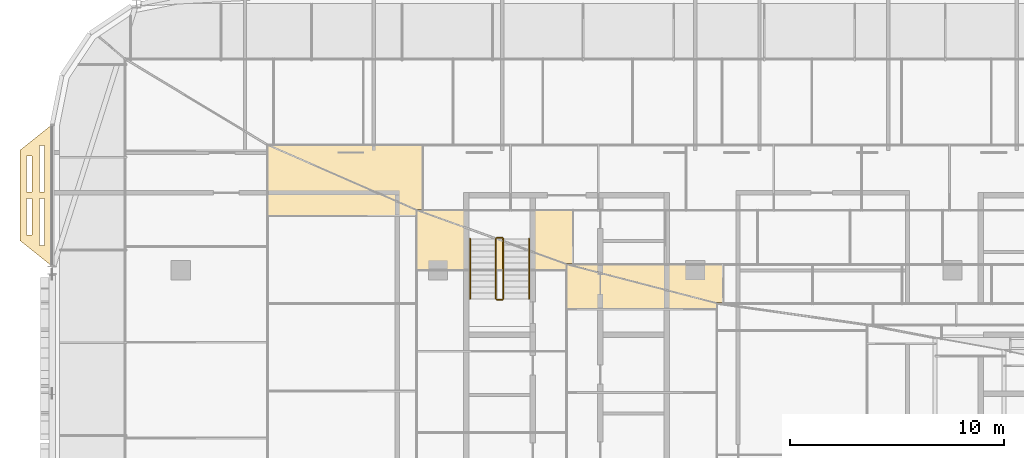
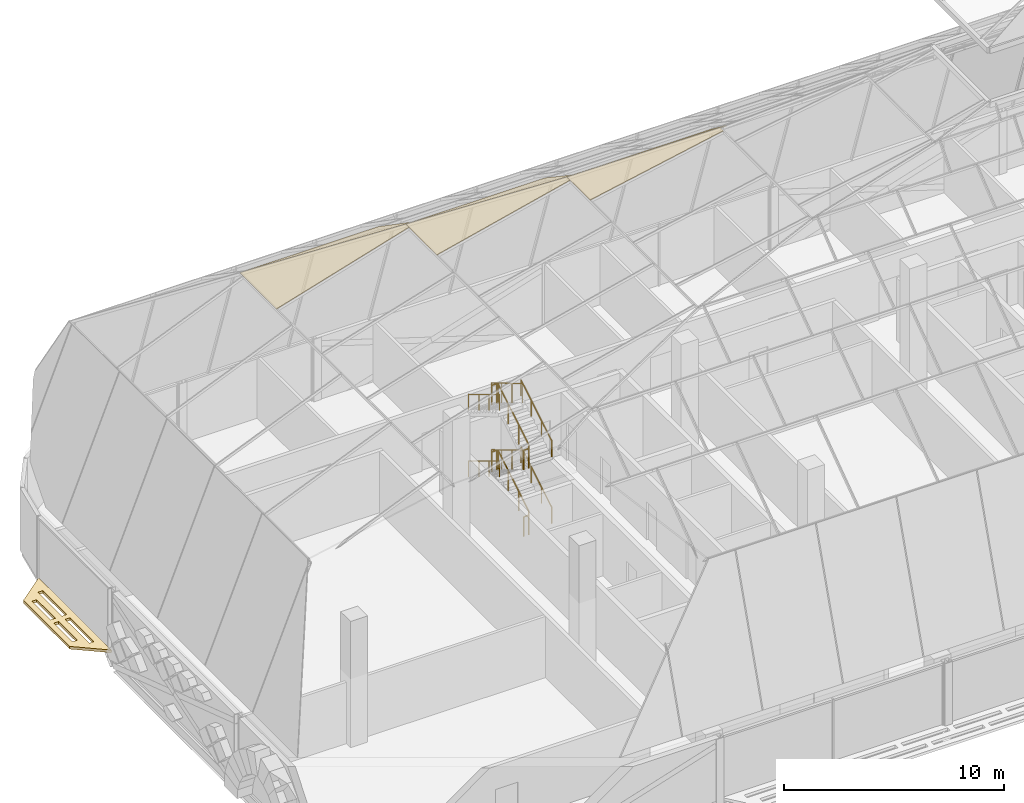
# One storey, part 35 of 39: 12 railings, 7 coverings.
"""IFC4 building model written with IfcOpenShell, lengths in metres."""

from ifc_helpers import new_model, si_unit, direction, frame, origin, origin_2d, place, context, subcontext, project, spatial, polyline, circle, outline, extrude, material, layer, layer_set, type_object, element, save


model = new_model("IFC4")

# Units and contexts
model_context = context("Model", 3, precision=1e-05, world=origin(), true_north=direction((0.0, 1.0)))
body_context = subcontext(model_context, "Body", "Model", "MODEL_VIEW")
ifc_project = project(units=[si_unit("LENGTHUNIT", "METRE"), si_unit("AREAUNIT", "SQUARE_METRE"), si_unit("VOLUMEUNIT", "CUBIC_METRE"), si_unit("PLANEANGLEUNIT", "RADIAN"), si_unit("MASSUNIT", "GRAM", prefix="KILO")], contexts=[model_context])

# Site, building, storey
site_placement = place(None, origin())
site = spatial("IfcSite", under=ifc_project, at=site_placement, CompositionType="ELEMENT")
building_placement = place(site_placement, origin())
building = spatial("IfcBuilding", under=site, at=building_placement, Name="Mahtab Terrace Research Tower", CompositionType="ELEMENT")
storey_placement = place(building_placement, frame((0.0, 0.0, 282.300048828125)))
storey = spatial("IfcBuildingStorey", under=building, at=storey_placement, Name="L69", CompositionType="ELEMENT", Elevation=282.300048828125)

# Coverings
ifc_material_1 = material(Name="Turquoise ceramic tile cladding", Category="ceramic")
ifc_layer_1 = layer(ifc_material_1, 0.0400390625)
ifc_layer_set_1 = layer_set([ifc_layer_1], Name="Crown hip cladding panel")
covering_type_1 = type_object("IfcCoveringType", Name="Crown hip cladding panel", PredefinedType="CLADDING", material=ifc_layer_set_1)
covering_1_placement = place(storey_placement, frame((-30.72021484375, 17.38427734375, 14.0), z_axis=(0.0, 0.568271672789, 0.822840996734), x_axis=(0.0, -0.822840996734, 0.568271672789)))
element("IfcCovering", 1, at=covering_1_placement, inside=storey, type_object=covering_type_1, Name="CWC-N3 hip cladding 1", PredefinedType="CLADDING", context=body_context, shape_type="SweptSolid", body=[
    extrude(outline(polyline([(0.0, 0.0), (3.695157820063184, 0.0), (3.695157820063184, -0.300048828125), (0.0, -7.2568359375), (0.0, 0.0)])), origin(), (0.0, 0.0, -1.0), 0.0400390625),
])
covering_2_placement = place(storey_placement, frame((-23.715576171875, 14.34375, 16.099853515625), z_axis=(0.0, 0.557653368121, 0.830073925035), x_axis=(0.0, -0.830073925035, 0.557653368121)))
element("IfcCovering", 2, at=covering_2_placement, inside=storey, type_object=covering_type_1, Name="CWC-N4 hip cladding 1", PredefinedType="CLADDING", context=body_context, shape_type="SweptSolid", body=[
    extrude(outline(polyline([(0.0, 0.0), (3.048838955690744, 0.0), (3.048838955690744, -0.300048828125), (0.0, -7.3046875), (0.0, 0.0)])), origin(), (0.0, 0.0, -1.0), 0.0400390625),
])
covering_3_placement = place(storey_placement, frame((-16.7109375, 11.81298828125, 17.800048828125), z_axis=(0.0, 0.609515532495, 0.7927741265), x_axis=(0.0, -0.7927741265, 0.609515532495)))
element("IfcCovering", 3, at=covering_3_placement, inside=storey, type_object=covering_type_1, Name="CWC-N5 hip cladding 1", PredefinedType="CLADDING", context=body_context, shape_type="SweptSolid", body=[
    extrude(outline(polyline([(0.0, 0.0), (2.2967459713771903, 0.0), (2.2967459713771903, -0.300048828125), (0.0, -7.3046875), (0.0, 0.0)])), origin(), (0.0, 0.0, -1.0), 0.0400390625),
])
covering_4_placement = place(storey_placement, frame((-37.97705078125, 17.38427734375, 14.0), z_axis=(-0.288965667694, 0.0, 0.957339460638), x_axis=(0.883149133651, -0.385988394823, 0.266571879225)))
element("IfcCovering", 4, at=covering_4_placement, inside=storey, type_object=covering_type_1, Name="CWC-W3 hip cladding 6", PredefinedType="CLADDING", context=body_context, shape_type="SweptSolid", body=[
    extrude(outline(polyline([(0.0, 0.0), (7.87725067522548, 1.942890293094024e-16), (7.993066040762021, -0.27679613502508116), (1.289423634366555, -3.0816936660278187), (0.0, 0.0)])), origin(), (0.0, 0.0, -1.0), 0.0400390625),
])
covering_5_placement = place(storey_placement, frame((-31.020263671875, 14.34375, 16.099853515625), z_axis=(-0.235875329175, 0.0, 0.971783324145), x_axis=(0.916909927481, -0.331277693642, 0.22255622791)))
element("IfcCovering", 5, at=covering_5_placement, inside=storey, type_object=covering_type_1, Name="CWC-W4 hip cladding 5", PredefinedType="CLADDING", context=body_context, shape_type="SweptSolid", body=[
    extrude(outline(polyline([(0.0, 0.0), (7.63939669746664, -2.7755575615628914e-17), (7.738796181227754, -0.2831060611982896), (0.9377843891050649, -2.6709640191978585), (0.0, 0.0)])), origin(), (0.0, 0.0, -1.0), 0.0400390625),
])
covering_6_placement = place(storey_placement, frame((-24.015625, 11.81298828125, 17.800048828125), z_axis=(-0.195978105633, 0.0, 0.980608271489), x_axis=(0.950223792737, -0.247003208192, 0.189905657787)))
element("IfcCovering", 6, at=covering_6_placement, inside=storey, type_object=covering_type_1, Name="CWC-W5 hip cladding 4", PredefinedType="CLADDING", context=body_context, shape_type="SweptSolid", body=[
    extrude(outline(polyline([(0.0, 0.0), (7.371567335415455, -4.163336342344337e-16), (7.445680358576541, -0.29075171376470044), (0.5238566576080959, -2.055134367350652), (0.0, 0.0)])), origin(), (0.0, 0.0, -1.0), 0.0400390625),
])
ifc_material_2 = material(Name="Black anodised aluminium", Category="aluminium")
ifc_layer_2 = layer(ifc_material_2, 0.14990234375)
ifc_layer_set_2 = layer_set([ifc_layer_2], Name="Horizontal sunshade band")
covering_type_2 = type_object("IfcCoveringType", Name="Horizontal sunshade band", PredefinedType="CLADDING", material=ifc_layer_set_2)
covering_7_placement = place(storey_placement, frame((0.0, 0.0, -0.150146484375)))
element("IfcCovering", 7, at=covering_7_placement, inside=storey, type_object=covering_type_2, Name="Sunshade band L69 15", PredefinedType="CLADDING", context=body_context, shape_type="SweptSolid", body=[
    extrude(outline(polyline([(-48.0, 18.306884765625), (-48.0, 11.68798828125), (-49.5, 12.887939453125), (-49.5, 17.10693359375), (-48.0, 18.306884765625)]), holes=[polyline([(-48.35009765625, 17.326904296875), (-48.35009765625, 15.14794921875), (-48.60009765625, 15.14794921875), (-48.60009765625, 17.326904296875), (-48.35009765625, 17.326904296875)]), polyline([(-48.35009765625, 14.847900390625), (-48.35009765625, 12.66796875), (-48.60009765625, 12.66796875), (-48.60009765625, 14.847900390625), (-48.35009765625, 14.847900390625)]), polyline([(-48.949951171875, 16.846923828125), (-48.949951171875, 15.14697265625), (-49.199951171875, 15.14697265625), (-49.199951171875, 16.846923828125), (-48.949951171875, 16.846923828125)]), polyline([(-48.949951171875, 14.847900390625), (-48.949951171875, 13.14794921875), (-49.199951171875, 13.14794921875), (-49.199951171875, 14.847900390625), (-48.949951171875, 14.847900390625)])]), origin(), (0.0, 0.0, 1.0), 0.150146484375),
])

# Railings
ifc_material_3 = material(Name="Stainless steel AISI 304", Category="steel")
railing_type_1 = type_object("IfcRailingType", Name="Stair guard 1100", PredefinedType="GUARDRAIL", material=ifc_material_3)
railing_1_placement = place(storey_placement, frame((-26.949951171875, 10.175048828125, 0.168212890625)))
element("IfcRailing", 8, at=railing_1_placement, inside=storey, type_object=railing_type_1, Name="L69 ST1 stair guard 1", PredefinedType="GUARDRAIL", context=body_context, shape_type="SweptSolid", body=[
    extrude(circle(Radius=0.02392578125, at=origin_2d()), frame((0.0, 0.0, 1.076171875), z_axis=(0.0, 0.857275202839, 0.514858452973), x_axis=(-1.0, 0.0, 0.0)), (0.0, 0.0, 1.0), 3.26611328125),
    extrude(circle(Radius=0.02099609375, at=origin_2d()), origin(), (0.0, 0.0, 1.0), 1.052001953125),
    extrude(circle(Radius=0.02099609375, at=origin_2d()), frame((0.0, 0.933349609375, 0.560546875)), (0.0, 0.0, 1.0), 1.052001953125),
    extrude(circle(Radius=0.02099609375, at=origin_2d()), frame((0.0, 1.86669921875, 1.12109375)), (0.0, 0.0, 1.0), 1.052001953125),
    extrude(circle(Radius=0.02099609375, at=origin_2d()), frame((0.0, 2.800048828125, 1.681640625)), (0.0, 0.0, 1.0), 1.052001953125),
])
railing_2_placement = place(storey_placement, frame((-27.0, 13.02490234375, 1.849853515625)))
element("IfcRailing", 9, at=railing_2_placement, inside=storey, type_object=railing_type_1, Name="L69 ST1 stair guard 2", PredefinedType="GUARDRAIL", context=body_context, shape_type="SweptSolid", body=[
    extrude(circle(Radius=0.02392578125, at=origin_2d()), frame((0.0, 0.0, 1.076171875), z_axis=(-1.0, 0.0, 0.0), x_axis=(0.0, -1.0, 0.0)), (0.0, 0.0, 1.0), 0.25),
    extrude(circle(Radius=0.02099609375, at=origin_2d()), origin(), (0.0, 0.0, 1.0), 1.052001953125),
    extrude(circle(Radius=0.02099609375, at=origin_2d()), frame((-0.25, 0.0, 0.0)), (0.0, 0.0, 1.0), 1.052001953125),
])
railing_3_placement = place(storey_placement, frame((-27.300048828125, 12.97509765625, 2.01806640625)))
element("IfcRailing", 10, at=railing_3_placement, inside=storey, type_object=railing_type_1, Name="L69 ST1 stair guard 3", PredefinedType="GUARDRAIL", context=body_context, shape_type="SweptSolid", body=[
    extrude(circle(Radius=0.02392578125, at=origin_2d()), frame((0.0, 0.0, 1.076171875), z_axis=(0.0, -0.857242210791, 0.514913383045), x_axis=(1.0, 0.0, 0.0)), (0.0, 0.0, 1.0), 3.266357421875),
    extrude(circle(Radius=0.02099609375, at=origin_2d()), origin(), (0.0, 0.0, 1.0), 1.052001953125),
    extrude(circle(Radius=0.02099609375, at=origin_2d()), frame((0.0, -0.933349609375, 0.560546875)), (0.0, 0.0, 1.0), 1.052001953125),
    extrude(circle(Radius=0.02099609375, at=origin_2d()), frame((0.0, -1.86669921875, 1.121337890625)), (0.0, 0.0, 1.0), 1.052001953125),
    extrude(circle(Radius=0.02099609375, at=origin_2d()), frame((0.0, -2.800048828125, 1.681884765625)), (0.0, 0.0, 1.0), 1.052001953125),
])
railing_4_placement = place(storey_placement, frame((-27.0, 10.125, 3.699951171875)))
element("IfcRailing", 11, at=railing_4_placement, inside=storey, type_object=railing_type_1, Name="L69 ST1 stair guard 4", PredefinedType="GUARDRAIL", context=body_context, shape_type="SweptSolid", body=[
    extrude(circle(Radius=0.02392578125, at=origin_2d()), frame((0.0, 0.0, 1.076171875), z_axis=(-1.0, 0.0, 0.0), x_axis=(0.0, -1.0, 0.0)), (0.0, 0.0, 1.0), 0.25),
    extrude(circle(Radius=0.02099609375, at=origin_2d()), origin(), (0.0, 0.0, 1.0), 1.052001953125),
    extrude(circle(Radius=0.02099609375, at=origin_2d()), frame((-0.25, 0.0, 0.0)), (0.0, 0.0, 1.0), 1.052001953125),
])
railing_5_placement = place(storey_placement, frame((-26.949951171875, 10.175048828125, 3.8681640625)))
element("IfcRailing", 12, at=railing_5_placement, inside=storey, type_object=railing_type_1, Name="L69 ST1 stair guard 5", PredefinedType="GUARDRAIL", context=body_context, shape_type="SweptSolid", body=[
    extrude(circle(Radius=0.02392578125, at=origin_2d()), frame((0.0, 0.0, 1.076171875), z_axis=(0.0, 0.857242210791, 0.514913383045), x_axis=(-1.0, 0.0, 0.0)), (0.0, 0.0, 1.0), 3.266357421875),
    extrude(circle(Radius=0.02099609375, at=origin_2d()), origin(), (0.0, 0.0, 1.0), 1.052001953125),
    extrude(circle(Radius=0.02099609375, at=origin_2d()), frame((0.0, 0.933349609375, 0.560546875)), (0.0, 0.0, 1.0), 1.052001953125),
    extrude(circle(Radius=0.02099609375, at=origin_2d()), frame((0.0, 1.86669921875, 1.121337890625)), (0.0, 0.0, 1.0), 1.052001953125),
    extrude(circle(Radius=0.02099609375, at=origin_2d()), frame((0.0, 2.800048828125, 1.681884765625)), (0.0, 0.0, 1.0), 1.052001953125),
])
railing_6_placement = place(storey_placement, frame((-27.0, 13.02490234375, 5.550048828125)))
element("IfcRailing", 13, at=railing_6_placement, inside=storey, type_object=railing_type_1, Name="L69 ST1 stair guard 6", PredefinedType="GUARDRAIL", context=body_context, shape_type="SweptSolid", body=[
    extrude(circle(Radius=0.02392578125, at=origin_2d()), frame((0.0, 0.0, 1.076171875), z_axis=(-1.0, 0.0, 0.0), x_axis=(0.0, -1.0, 0.0)), (0.0, 0.0, 1.0), 0.25),
    extrude(circle(Radius=0.02099609375, at=origin_2d()), origin(), (0.0, 0.0, 1.0), 1.052001953125),
    extrude(circle(Radius=0.02099609375, at=origin_2d()), frame((-0.25, 0.0, 0.0)), (0.0, 0.0, 1.0), 1.052001953125),
])
railing_7_placement = place(storey_placement, frame((-27.300048828125, 12.97509765625, 5.718017578125)))
element("IfcRailing", 14, at=railing_7_placement, inside=storey, type_object=railing_type_1, Name="L69 ST1 stair guard 7", PredefinedType="GUARDRAIL", context=body_context, shape_type="SweptSolid", body=[
    extrude(circle(Radius=0.02392578125, at=origin_2d()), frame((0.0, 0.0, 1.076171875), z_axis=(0.0, -0.857242210791, 0.514913383045), x_axis=(1.0, 0.0, 0.0)), (0.0, 0.0, 1.0), 3.266357421875),
    extrude(circle(Radius=0.02099609375, at=origin_2d()), origin(), (0.0, 0.0, 1.0), 1.052001953125),
    extrude(circle(Radius=0.02099609375, at=origin_2d()), frame((0.0, -0.933349609375, 0.560546875)), (0.0, 0.0, 1.0), 1.052001953125),
    extrude(circle(Radius=0.02099609375, at=origin_2d()), frame((0.0, -1.86669921875, 1.121337890625)), (0.0, 0.0, 1.0), 1.052001953125),
    extrude(circle(Radius=0.02099609375, at=origin_2d()), frame((0.0, -2.800048828125, 1.681884765625)), (0.0, 0.0, 1.0), 1.052001953125),
])
railing_8_placement = place(storey_placement, frame((-27.0, 10.125, 0.0)))
element("IfcRailing", 15, at=railing_8_placement, inside=storey, type_object=railing_type_1, Name="L69 ST1 stair guard 8", PredefinedType="GUARDRAIL", context=body_context, shape_type="SweptSolid", body=[
    extrude(circle(Radius=0.02392578125, at=origin_2d()), frame((0.0, 0.0, 1.076171875), z_axis=(-1.0, 0.0, 0.0), x_axis=(0.0, -1.0, 0.0)), (0.0, 0.0, 1.0), 0.25),
    extrude(circle(Radius=0.02099609375, at=origin_2d()), origin(), (0.0, 0.0, 1.0), 1.052001953125),
    extrude(circle(Radius=0.02099609375, at=origin_2d()), frame((-0.25, 0.0, 0.0)), (0.0, 0.0, 1.0), 1.052001953125),
])
railing_type_2 = type_object("IfcRailingType", Name="Stair handrail 900", PredefinedType="HANDRAIL", material=ifc_material_3)
railing_9_placement = place(storey_placement, frame((-25.75, 10.175048828125, 0.168212890625)))
element("IfcRailing", 16, at=railing_9_placement, inside=storey, type_object=railing_type_2, Name="L69 ST1 stair handrail 1", PredefinedType="HANDRAIL", context=body_context, shape_type="SweptSolid", body=[
    extrude(circle(Radius=0.02392578125, at=origin_2d()), frame((0.0, 0.0, 0.8759765625), z_axis=(0.0, 0.857275202839, 0.514858452973), x_axis=(-1.0, 0.0, 0.0)), (0.0, 0.0, 1.0), 3.26611328125),
    extrude(circle(Radius=0.02099609375, at=origin_2d()), origin(), (0.0, 0.0, 1.0), 0.851806640625),
    extrude(circle(Radius=0.02099609375, at=origin_2d()), frame((0.0, 0.933349609375, 0.560546875)), (0.0, 0.0, 1.0), 0.851806640625),
    extrude(circle(Radius=0.02099609375, at=origin_2d()), frame((0.0, 1.86669921875, 1.12109375)), (0.0, 0.0, 1.0), 0.851806640625),
    extrude(circle(Radius=0.02099609375, at=origin_2d()), frame((0.0, 2.800048828125, 1.681640625)), (0.0, 0.0, 1.0), 0.851806640625),
])
railing_10_placement = place(storey_placement, frame((-28.5, 12.97509765625, 2.01806640625)))
element("IfcRailing", 17, at=railing_10_placement, inside=storey, type_object=railing_type_2, Name="L69 ST1 stair handrail 2", PredefinedType="HANDRAIL", context=body_context, shape_type="SweptSolid", body=[
    extrude(circle(Radius=0.02392578125, at=origin_2d()), frame((0.0, 0.0, 0.8759765625), z_axis=(0.0, -0.857242210791, 0.514913383045), x_axis=(1.0, 0.0, 0.0)), (0.0, 0.0, 1.0), 3.266357421875),
    extrude(circle(Radius=0.02099609375, at=origin_2d()), origin(), (0.0, 0.0, 1.0), 0.851806640625),
    extrude(circle(Radius=0.02099609375, at=origin_2d()), frame((0.0, -0.933349609375, 0.560546875)), (0.0, 0.0, 1.0), 0.851806640625),
    extrude(circle(Radius=0.02099609375, at=origin_2d()), frame((0.0, -1.86669921875, 1.121337890625)), (0.0, 0.0, 1.0), 0.851806640625),
    extrude(circle(Radius=0.02099609375, at=origin_2d()), frame((0.0, -2.800048828125, 1.681884765625)), (0.0, 0.0, 1.0), 0.851806640625),
])
railing_11_placement = place(storey_placement, frame((-25.75, 10.175048828125, 3.8681640625)))
element("IfcRailing", 18, at=railing_11_placement, inside=storey, type_object=railing_type_2, Name="L69 ST1 stair handrail 3", PredefinedType="HANDRAIL", context=body_context, shape_type="SweptSolid", body=[
    extrude(circle(Radius=0.02392578125, at=origin_2d()), frame((0.0, 0.0, 0.8759765625), z_axis=(0.0, 0.857242210791, 0.514913383045), x_axis=(-1.0, 0.0, 0.0)), (0.0, 0.0, 1.0), 3.266357421875),
    extrude(circle(Radius=0.02099609375, at=origin_2d()), origin(), (0.0, 0.0, 1.0), 0.851806640625),
    extrude(circle(Radius=0.02099609375, at=origin_2d()), frame((0.0, 0.933349609375, 0.560546875)), (0.0, 0.0, 1.0), 0.851806640625),
    extrude(circle(Radius=0.02099609375, at=origin_2d()), frame((0.0, 1.86669921875, 1.121337890625)), (0.0, 0.0, 1.0), 0.851806640625),
    extrude(circle(Radius=0.02099609375, at=origin_2d()), frame((0.0, 2.800048828125, 1.681884765625)), (0.0, 0.0, 1.0), 0.851806640625),
])
railing_12_placement = place(storey_placement, frame((-28.5, 12.97509765625, 5.718017578125)))
element("IfcRailing", 19, at=railing_12_placement, inside=storey, type_object=railing_type_2, Name="L69 ST1 stair handrail 4", PredefinedType="HANDRAIL", context=body_context, shape_type="SweptSolid", body=[
    extrude(circle(Radius=0.02392578125, at=origin_2d()), frame((0.0, 0.0, 0.8759765625), z_axis=(0.0, -0.857242210791, 0.514913383045), x_axis=(1.0, 0.0, 0.0)), (0.0, 0.0, 1.0), 3.266357421875),
    extrude(circle(Radius=0.02099609375, at=origin_2d()), origin(), (0.0, 0.0, 1.0), 0.851806640625),
    extrude(circle(Radius=0.02099609375, at=origin_2d()), frame((0.0, -0.933349609375, 0.560546875)), (0.0, 0.0, 1.0), 0.851806640625),
    extrude(circle(Radius=0.02099609375, at=origin_2d()), frame((0.0, -1.86669921875, 1.121337890625)), (0.0, 0.0, 1.0), 0.851806640625),
    extrude(circle(Radius=0.02099609375, at=origin_2d()), frame((0.0, -2.800048828125, 1.681884765625)), (0.0, 0.0, 1.0), 0.851806640625),
])

save(model, "model.ifc")
